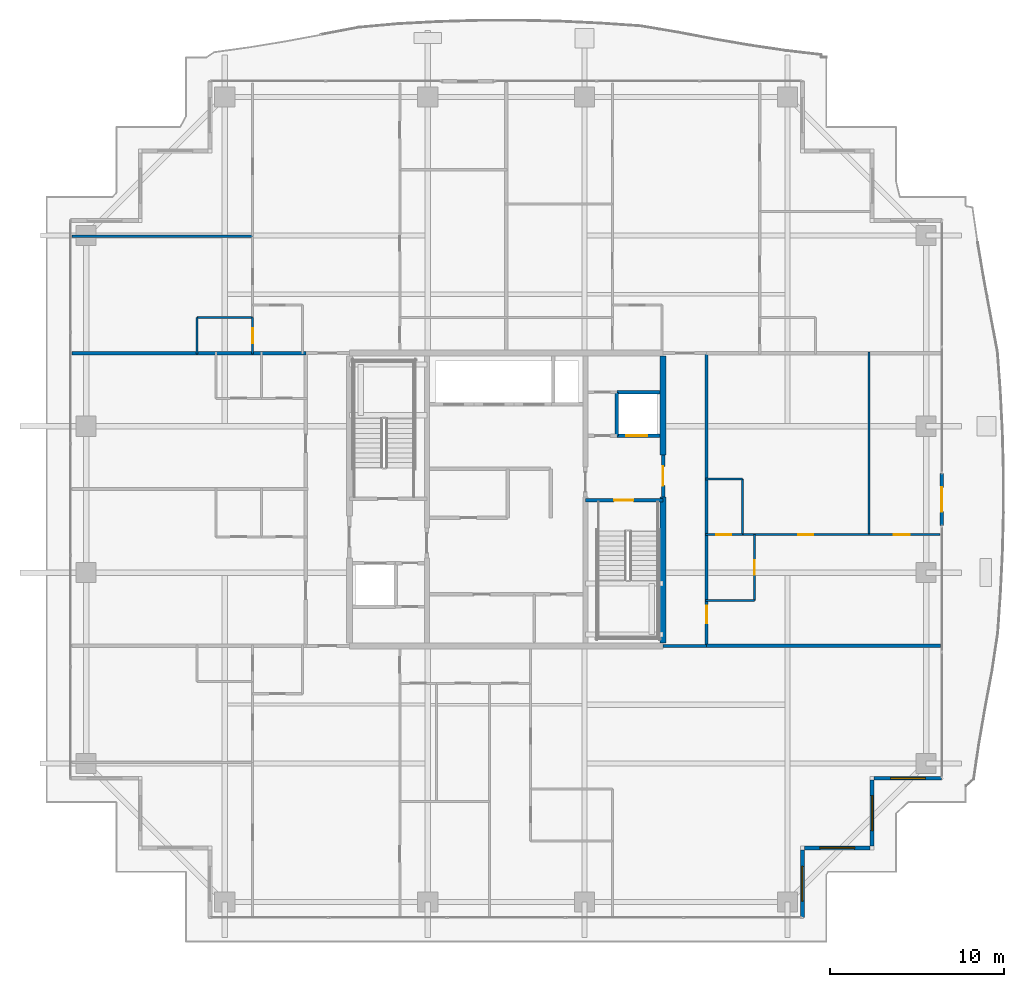
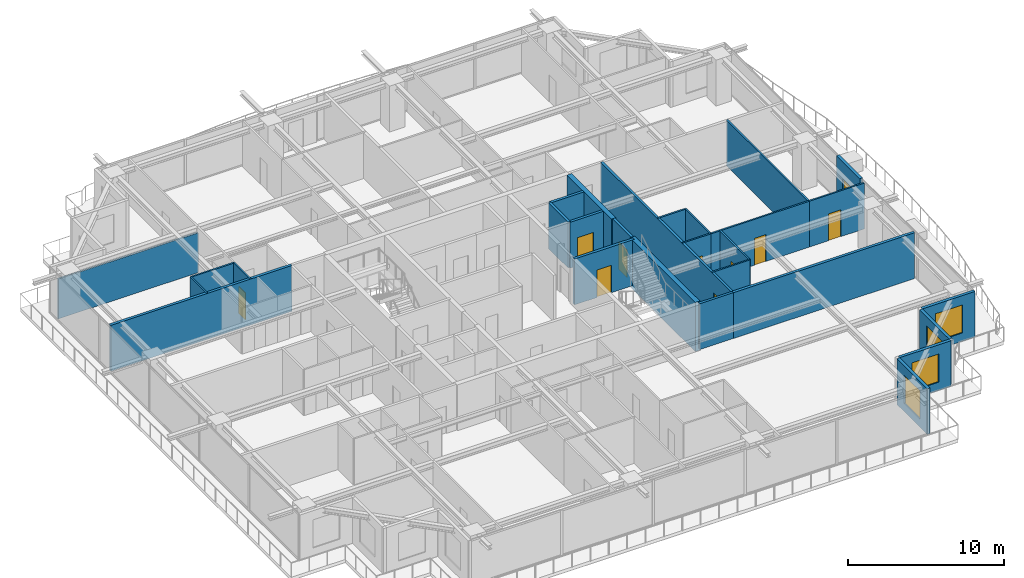
# One storey, part 28 of 37: 28 walls, 10 doors, 4 windows, 14 openings.
"""IFC4 building model written with IfcOpenShell, lengths in metres."""

import ifcopenshell
import ifcopenshell.guid

model = None  # the IFC model being written
_history = None  # IfcOwnerHistory: only IFC2X3 demands one
_inside = {}  # id of a spatial element -> (the spatial element, [elements in it])
_under = {}  # id of a project, library or spatial element -> (it, [spatial elements below it])
_declared = {}  # id of a project -> (the project, [libraries it declares])
_typed = {}  # id of a type object -> (the type object, [elements of that type])
_made_of = {}  # id of a material, layer set ... -> (it, [elements and type objects made of it])


def new_model(schema):
    """Start an empty IFC model of exactly this schema.

    Asked for "IFC4X3", IfcOpenShell would pick the latest addendum, in which some entities
    have other attributes; the version numbers below select the first issue.
    IFC2X3 requires an IfcOwnerHistory on every rooted entity: one is made here for all.
    """
    global model, _history
    if schema == "IFC4X3":
        model = ifcopenshell.file(schema_version=(4, 3, 0, 0))
    else:
        model = ifcopenshell.file(schema=schema)
    _inside.clear()
    _under.clear()
    _declared.clear()
    _typed.clear()
    _made_of.clear()
    _history = None
    if model.schema == "IFC2X3":
        org = make("IfcOrganization", Name="unknown")
        user = make(
            "IfcPersonAndOrganization",
            ThePerson=make("IfcPerson", FamilyName="unknown"),
            TheOrganization=org,
        )
        app = make(
            "IfcApplication",
            ApplicationDeveloper=org,
            Version="unknown",
            ApplicationFullName="unknown",
            ApplicationIdentifier="unknown",
        )
        _history = make(
            "IfcOwnerHistory",
            OwningUser=user,
            OwningApplication=app,
            ChangeAction="ADDED",
            CreationDate=0,
        )
    return model


def make(cls, **values):
    """One entity of the class cls with the attributes given. An attribute that is None is left unset."""
    return model.create_entity(
        cls, **{name: value for name, value in values.items() if value is not None}
    )


def rooted(cls, **values):
    """An entity with a GlobalId (a new one), such as an element, a storey or a relation."""
    return make(cls, GlobalId=ifcopenshell.guid.new(), OwnerHistory=_history, **values)


def si_unit(unit_type, name, prefix=None):
    """IfcSIUnit, for example si_unit("LENGTHUNIT", "METRE", prefix="MILLI")."""
    return make("IfcSIUnit", UnitType=unit_type, Prefix=prefix, Name=name)


def assignment(units):
    """IfcUnitAssignment: the units of a project."""
    return None if units is None else make("IfcUnitAssignment", Units=units)


def point(xyz):
    """IfcCartesianPoint."""
    return None if xyz is None else make("IfcCartesianPoint", Coordinates=xyz)


def direction(xyz):
    """IfcDirection."""
    return None if xyz is None else make("IfcDirection", DirectionRatios=xyz)


def frame(location, z_axis=None, x_axis=None):
    """IfcAxis2Placement3D, a coordinate frame: its origin and axes. An axis left out is left unset."""
    return make(
        "IfcAxis2Placement3D",
        Location=point(location),
        Axis=direction(z_axis),
        RefDirection=direction(x_axis),
    )


def frame_2d(location, x_axis=None):
    """IfcAxis2Placement2D, a coordinate frame in the plane: its origin and x axis."""
    return make(
        "IfcAxis2Placement2D", Location=point(location), RefDirection=direction(x_axis)
    )


def origin():
    """The frame at (0, 0, 0) with its axes left unset."""
    return frame((0.0, 0.0, 0.0))


def place(relative_to, where):
    """IfcLocalPlacement: puts the frame where relative to a parent placement (None: the world)."""
    return make(
        "IfcLocalPlacement", PlacementRelTo=relative_to, RelativePlacement=where
    )


def context(
    kind, dimensions, precision=None, world=None, true_north=None, identifier=None
):
    """IfcGeometricRepresentationContext, for example the 3D "Model" context."""
    return make(
        "IfcGeometricRepresentationContext",
        ContextIdentifier=identifier,
        ContextType=kind,
        CoordinateSpaceDimension=dimensions,
        Precision=precision,
        WorldCoordinateSystem=world,
        TrueNorth=true_north,
    )


def subcontext(parent, identifier, kind, view, scale=None):
    """IfcGeometricRepresentationSubContext, for example "Body" below "Model"."""
    return make(
        "IfcGeometricRepresentationSubContext",
        ContextIdentifier=identifier,
        ContextType=kind,
        ParentContext=parent,
        TargetScale=scale,
        TargetView=view,
    )


def project(units=None, contexts=None):
    """IfcProject with its units and contexts."""
    return rooted(
        "IfcProject",
        Name="project",
        RepresentationContexts=contexts,
        UnitsInContext=assignment(units),
    )


def spatial(cls, under=None, at=None, **own):
    """A site, building, storey or space (cls), placed at a placement, below another one or the project."""
    s = rooted(cls, ObjectPlacement=at, **own)
    if under is not None:
        _under.setdefault(under.id(), (under, []))[1].append(s)
    return s


def profile(cls, at=None, kind="AREA", **sizes):
    """A parametric profile (cls). Its sizes go by their IFC names, for example OverallWidth=200.0."""
    return make(cls, ProfileType=kind, Position=at, **sizes)


def rectangle(**sizes):
    """IfcRectangleProfileDef."""
    return profile("IfcRectangleProfileDef", **sizes)


def extrude(swept, where, along, depth):
    """IfcExtrudedAreaSolid: the profile swept, set in the frame where, extruded along a direction by depth."""
    return make(
        "IfcExtrudedAreaSolid",
        SweptArea=swept,
        Position=where,
        ExtrudedDirection=direction(along),
        Depth=depth,
    )


def shape(context_of_items, identifier, shape_type, items):
    """IfcShapeRepresentation: the items that make up one representation, for example the "Body"."""
    return make(
        "IfcShapeRepresentation",
        ContextOfItems=context_of_items,
        RepresentationIdentifier=identifier,
        RepresentationType=shape_type,
        Items=items,
    )


def source(mapping_origin, context_of_items, identifier, shape_type, items):
    """IfcRepresentationMap: a shape defined once, which mapped items show again and again."""
    return make(
        "IfcRepresentationMap",
        MappingOrigin=mapping_origin,
        MappedRepresentation=shape(context_of_items, identifier, shape_type, items),
    )


def transform(
    local_origin,
    x_axis=None,
    y_axis=None,
    z_axis=None,
    scale=None,
    scale2=None,
    scale3=None,
    uniform=True,
):
    """IfcCartesianTransformationOperator3D, or its non-uniform kind. x_axis, y_axis, z_axis: its Axis1, 2, 3."""
    if uniform:
        return make(
            "IfcCartesianTransformationOperator3D",
            Axis1=direction(x_axis),
            Axis2=direction(y_axis),
            LocalOrigin=point(local_origin),
            Scale=scale,
            Axis3=direction(z_axis),
        )
    return make(
        "IfcCartesianTransformationOperator3DnonUniform",
        Axis1=direction(x_axis),
        Axis2=direction(y_axis),
        LocalOrigin=point(local_origin),
        Scale=scale,
        Axis3=direction(z_axis),
        Scale2=scale2,
        Scale3=scale3,
    )


def mapped(mapping_source, mapping_target):
    """IfcMappedItem: shows the shape of a source again, moved by a transform."""
    return make(
        "IfcMappedItem", MappingSource=mapping_source, MappingTarget=mapping_target
    )


def material(Name=None, Category=None):
    """IfcMaterial."""
    return make("IfcMaterial", Name=Name, Category=Category)


def layer(
    of_material, thickness, ventilated=None, Name=None, Category=None, Priority=None
):
    """IfcMaterialLayer: one layer of a wall or slab, of a material (None: an air gap)."""
    return make(
        "IfcMaterialLayer",
        Material=of_material,
        LayerThickness=thickness,
        IsVentilated=ventilated,
        Name=Name,
        Category=Category,
        Priority=Priority,
    )


def layer_set(layers, Name=None):
    """IfcMaterialLayerSet."""
    return make("IfcMaterialLayerSet", MaterialLayers=layers, LayerSetName=Name)


def made_of(thing, what):
    """Note that an element or type object is made of a material, layer set ...; save() writes the relation."""
    if what is not None:
        _made_of.setdefault(what.id(), (what, []))[1].append(thing)
    return thing


def type_object(cls, material=None, **own):
    """A type object (cls), such as IfcWallType, which elements share."""
    return made_of(rooted(cls, **own), material)


def element(
    cls,
    number,
    at=None,
    inside=None,
    cuts=None,
    type_object=None,
    material=None,
    context=None,
    identifier="Body",
    shape_type=None,
    held_by="IfcProductDefinitionShape",
    body=None,
    shapes=None,
    **own,
):
    """One element of the class cls, such as IfcWall. Its Tag is "e" and its number.

    at: its placement. inside: the storey or other place that contains it. cuts: it is an
    opening in that element (IfcRelVoidsElement). A single representation is given by context,
    identifier, shape_type and body (its items); several are given by shapes. held_by: the class
    of the entity that holds the representations. save() writes the other relations.
    """
    e = rooted(cls, Tag="e%d" % number, ObjectPlacement=at, **own)
    if body is not None:
        shapes = [shape(context, identifier, shape_type, body)]
    if shapes is not None:
        e.Representation = make(held_by, Representations=shapes)
    if inside is not None:
        _inside.setdefault(inside.id(), (inside, []))[1].append(e)
    if cuts is not None:
        rooted(
            "IfcRelVoidsElement", RelatingBuildingElement=cuts, RelatedOpeningElement=e
        )
    if type_object is not None:
        _typed.setdefault(type_object.id(), (type_object, []))[1].append(e)
    return made_of(e, material)


def fill(opening, filler):
    """IfcRelFillsElement: the door or window that sits in an opening."""
    return rooted(
        "IfcRelFillsElement",
        RelatingOpeningElement=opening,
        RelatedBuildingElement=filler,
    )


def aggregate(whole, parts):
    """IfcRelAggregates: a whole, such as a stair, and the parts it consists of."""
    return rooted("IfcRelAggregates", RelatingObject=whole, RelatedObjects=parts)


def save(model, path):
    """Write the relations noted so far, then the file.

    IfcRelAggregates (storeys below a building ...), IfcRelContainedInSpatialStructure (elements
    in a storey), IfcRelDefinesByType, IfcRelAssociatesMaterial and IfcRelDeclares: one each for
    every whole, place, type object, material and project.
    """
    for whole, parts in _under.values():
        aggregate(whole, parts)
    for where, things in _inside.values():
        rooted(
            "IfcRelContainedInSpatialStructure",
            RelatedElements=things,
            RelatingStructure=where,
        )
    for kind, things in _typed.values():
        rooted("IfcRelDefinesByType", RelatedObjects=things, RelatingType=kind)
    for what, things in _made_of.values():
        rooted("IfcRelAssociatesMaterial", RelatedObjects=things, RelatingMaterial=what)
    for by, libraries in _declared.values():
        rooted("IfcRelDeclares", RelatingContext=by, RelatedDefinitions=libraries)
    model.write(path)


model = new_model("IFC4")

# Units and contexts
model_context = context("Model", 3, precision=1e-05, world=origin(), true_north=direction((0.0, 1.0)))
body_context = subcontext(model_context, "Body", "Model", "MODEL_VIEW")
ifc_project = project(units=[si_unit("LENGTHUNIT", "METRE"), si_unit("AREAUNIT", "SQUARE_METRE"), si_unit("VOLUMEUNIT", "CUBIC_METRE"), si_unit("PLANEANGLEUNIT", "RADIAN"), si_unit("MASSUNIT", "GRAM", prefix="KILO")], contexts=[model_context])

# Site, building, storey
site_placement = place(None, origin())
site = spatial("IfcSite", under=ifc_project, at=site_placement, CompositionType="ELEMENT")
building_placement = place(site_placement, origin())
building = spatial("IfcBuilding", under=site, at=building_placement, Name="Serunith Strait Residences", CompositionType="ELEMENT")
storey_placement = place(building_placement, frame((0.0, 0.0, 233.550048828125)))
storey = spatial("IfcBuildingStorey", under=building, at=storey_placement, Name="L58", CompositionType="ELEMENT", Elevation=233.550048828125)

# Wall, opening, window
ifc_material_1 = material(Name="Pale-Champagne Aluminium Insulated Panel", Category="aluminium")
ifc_layer_1 = layer(ifc_material_1, 0.219970703125, Name="Pale-Champagne Aluminium Insulated Panel")
ifc_layer_set_1 = layer_set([ifc_layer_1], Name="Pale-Champagne Aluminium Insulated Panel")
wall_type_1 = type_object("IfcWallType", Name="EW-ALUM-220", PredefinedType="ELEMENTEDWALL", material=ifc_layer_set_1)
wall_1_placement = place(storey_placement, frame((49.39990234375, 1.199951171875, 0.0), z_axis=(0.0, 0.0, 1.0), x_axis=(0.0, 1.0, 0.0)))
wall_1 = element("IfcWall", 1, at=wall_1_placement, inside=storey, type_object=wall_type_1, Name="L58 Girih Serrated Corner Wall 02", PredefinedType="ELEMENTEDWALL", context=body_context, shape_type="SweptSolid", body=[
    extrude(rectangle(XDim=3.89013671875, YDim=0.219970703125, at=frame_2d((1.945068359375, 0.0))), origin(), (0.0, 0.0, 1.0), 3.574951171875),
])
opening_1_placement = place(wall_1_placement, frame((0.945068359375, 0.0, 0.64990234375)))
opening_1 = element("IfcOpeningElement", 2, at=opening_1_placement, cuts=wall_1, Name="Opening W-04", PredefinedType="OPENING", context=body_context, shape_type="SweptSolid", body=[
    extrude(rectangle(XDim=2.0, YDim=2.199951171875, at=frame_2d((1.0, 1.10009765625))), frame((0.0, 0.1201171875, 0.0), z_axis=(0.0, -1.0, 0.0), x_axis=(1.0, 0.0, 0.0)), (0.0, 0.0, 1.0), 0.239990234375),
])
ifc_material_2 = material(Name="Ceramic-Fritted Operable Aluminium Window Glass", Category="aluminium")
window_type = type_object("IfcWindowType", Name="WIN-C4", PartitioningType="TRIPLE_PANEL_VERTICAL", PredefinedType="WINDOW", material=ifc_material_2)
shared_shape_1 = source(origin(), body_context, "Body", "SweptSolid", [
    extrude(rectangle(XDim=2.0, YDim=2.199951171875, at=frame_2d((1.0, 1.10009765625))), frame((0.0, 0.030029296875, 0.0), z_axis=(0.0, -1.0, 0.0), x_axis=(1.0, 0.0, 0.0)), (0.0, 0.0, 1.0), 0.06005859375),
])
window_1_placement = place(opening_1_placement, origin())
window_1 = element("IfcWindow", 3, at=window_1_placement, inside=storey, type_object=window_type, Name="L58 Corner Operable Fritted Window 02", OverallHeight=2.199951171875, OverallWidth=2.0, PartitioningType="SINGLE_PANEL", PredefinedType="WINDOW", context=body_context, shape_type="MappedRepresentation", body=[
    mapped(shared_shape_1, transform((0.0, 0.0, 0.0), scale=1.0)),
])
fill(opening_1, window_1)

wall_2_placement = place(storey_placement, frame((49.510009765625, 5.199951171875, 0.0), z_axis=(0.0, 0.0, 1.0), x_axis=(1.0, 0.0, 0.0)))
wall_2 = element("IfcWall", 4, at=wall_2_placement, inside=storey, type_object=wall_type_1, Name="L58 Girih Serrated Corner Wall 03", PredefinedType="ELEMENTEDWALL", context=body_context, shape_type="SweptSolid", body=[
    extrude(rectangle(XDim=3.780029296875, YDim=0.219970703125, at=frame_2d((1.89013671875, 0.0))), origin(), (0.0, 0.0, 1.0), 3.574951171875),
])
opening_2_placement = place(wall_2_placement, frame((0.889892578125, 0.0, 0.64990234375)))
opening_2 = element("IfcOpeningElement", 5, at=opening_2_placement, cuts=wall_2, Name="Opening W-04", PredefinedType="OPENING", context=body_context, shape_type="SweptSolid", body=[
    extrude(rectangle(XDim=2.0, YDim=2.199951171875, at=frame_2d((1.0, 1.10009765625))), frame((0.0, 0.1201171875, 0.0), z_axis=(0.0, -1.0, 0.0), x_axis=(1.0, 0.0, 0.0)), (0.0, 0.0, 1.0), 0.239990234375),
])
window_2_placement = place(opening_2_placement, origin())
window_2 = element("IfcWindow", 6, at=window_2_placement, inside=storey, type_object=window_type, Name="L58 Corner Operable Fritted Window 03", OverallHeight=2.199951171875, OverallWidth=2.0, PartitioningType="SINGLE_PANEL", PredefinedType="WINDOW", context=body_context, shape_type="MappedRepresentation", body=[
    mapped(shared_shape_1, transform((0.0, 0.0, 0.0), scale=1.0)),
])
fill(opening_2, window_2)

wall_3_placement = place(storey_placement, frame((53.39990234375, 5.31005859375, 0.0), z_axis=(0.0, 0.0, 1.0), x_axis=(0.0, 1.0, 0.0)))
wall_3 = element("IfcWall", 7, at=wall_3_placement, inside=storey, type_object=wall_type_1, Name="L58 Girih Serrated Corner Wall 04", PredefinedType="ELEMENTEDWALL", context=body_context, shape_type="SweptSolid", body=[
    extrude(rectangle(XDim=3.780029296875, YDim=0.219970703125, at=frame_2d((1.89013671875, 0.0))), origin(), (0.0, 0.0, 1.0), 3.574951171875),
])
opening_3_placement = place(wall_3_placement, frame((0.889892578125, 0.0, 0.64990234375)))
opening_3 = element("IfcOpeningElement", 8, at=opening_3_placement, cuts=wall_3, Name="Opening W-04", PredefinedType="OPENING", context=body_context, shape_type="SweptSolid", body=[
    extrude(rectangle(XDim=2.0, YDim=2.199951171875, at=frame_2d((1.0, 1.10009765625))), frame((0.0, 0.1201171875, 0.0), z_axis=(0.0, -1.0, 0.0), x_axis=(1.0, 0.0, 0.0)), (0.0, 0.0, 1.0), 0.239990234375),
])
window_3_placement = place(opening_3_placement, origin())
window_3 = element("IfcWindow", 9, at=window_3_placement, inside=storey, type_object=window_type, Name="L58 Corner Operable Fritted Window 04", OverallHeight=2.199951171875, OverallWidth=2.0, PartitioningType="SINGLE_PANEL", PredefinedType="WINDOW", context=body_context, shape_type="MappedRepresentation", body=[
    mapped(shared_shape_1, transform((0.0, 0.0, 0.0), scale=1.0)),
])
fill(opening_3, window_3)

wall_4_placement = place(storey_placement, frame((53.510009765625, 9.199951171875, 0.0), z_axis=(0.0, 0.0, 1.0), x_axis=(1.0, 0.0, 0.0)))
wall_4 = element("IfcWall", 10, at=wall_4_placement, inside=storey, type_object=wall_type_1, Name="L58 Girih Serrated Corner Wall 05", PredefinedType="ELEMENTEDWALL", context=body_context, shape_type="SweptSolid", body=[
    extrude(rectangle(XDim=3.889892578125, YDim=0.219970703125, at=frame_2d((1.94482421875, 0.0))), origin(), (0.0, 0.0, 1.0), 3.574951171875),
])
opening_4_placement = place(wall_4_placement, frame((0.945068359375, 0.0, 0.64990234375)))
opening_4 = element("IfcOpeningElement", 11, at=opening_4_placement, cuts=wall_4, Name="Opening W-04", PredefinedType="OPENING", context=body_context, shape_type="SweptSolid", body=[
    extrude(rectangle(XDim=2.0, YDim=2.199951171875, at=frame_2d((1.0, 1.10009765625))), frame((0.0, 0.1201171875, 0.0), z_axis=(0.0, -1.0, 0.0), x_axis=(1.0, 0.0, 0.0)), (0.0, 0.0, 1.0), 0.239990234375),
])
window_4_placement = place(opening_4_placement, origin())
window_4 = element("IfcWindow", 12, at=window_4_placement, inside=storey, type_object=window_type, Name="L58 Corner Operable Fritted Window 05", OverallHeight=2.199951171875, OverallWidth=2.0, PartitioningType="SINGLE_PANEL", PredefinedType="WINDOW", context=body_context, shape_type="MappedRepresentation", body=[
    mapped(shared_shape_1, transform((0.0, 0.0, 0.0), scale=1.0)),
])
fill(opening_4, window_4)

# Wall, opening, door
wall_5_placement = place(storey_placement, frame((57.39990234375, 23.699951171875, 0.0), z_axis=(0.0, 0.0, 1.0), x_axis=(0.0, 1.0, 0.0)))
wall_5 = element("IfcWall", 13, at=wall_5_placement, inside=storey, type_object=wall_type_1, Name="L58 E Facade Pier Wall", PredefinedType="ELEMENTEDWALL", context=body_context, shape_type="SweptSolid", body=[
    extrude(rectangle(XDim=3.0, YDim=0.219970703125, at=frame_2d((1.5, 0.0))), origin(), (0.0, 0.0, 1.0), 3.574951171875),
])
opening_5_placement = place(wall_5_placement, frame((0.800048828125, 0.0, 0.0)))
opening_5 = element("IfcOpeningElement", 14, at=opening_5_placement, cuts=wall_5, Name="Opening ED-04", PredefinedType="OPENING", context=body_context, shape_type="SweptSolid", body=[
    extrude(rectangle(XDim=1.39990234375, YDim=2.25, at=frame_2d((0.699951171875, 1.125))), frame((0.0, 0.1201171875, 0.0), z_axis=(0.0, -1.0, 0.0), x_axis=(1.0, 0.0, 0.0)), (0.0, 0.0, 1.0), 0.239990234375),
])
ifc_material_3 = material(Name="Thermally-Broken Aluminium Sliding Balcony Door", Category="aluminium")
door_type_1 = type_object("IfcDoorType", Name="ED-BALC-1400", OperationType="NOTDEFINED", PredefinedType="DOOR", material=ifc_material_3)
shared_shape_2 = source(origin(), body_context, "Body", "SweptSolid", [
    extrude(rectangle(XDim=1.39990234375, YDim=2.25, at=frame_2d((0.699951171875, 1.125))), frame((0.0, 0.02490234375, 0.0), z_axis=(0.0, -1.0, 0.0), x_axis=(1.0, 0.0, 0.0)), (0.0, 0.0, 1.0), 0.050048828125),
])
door_1_placement = place(opening_5_placement, origin())
door_1 = element("IfcDoor", 15, at=door_1_placement, inside=storey, type_object=door_type_1, Name="L58 E Vertical-Forest Balcony Door", OperationType="SLIDING_TO_LEFT", OverallHeight=2.25, OverallWidth=1.39990234375, PredefinedType="DOOR", context=body_context, shape_type="MappedRepresentation", body=[
    mapped(shared_shape_2, transform((0.0, 0.0, 0.0), scale=1.0)),
])
fill(opening_5, door_1)

# Wall
ifc_material_4 = material(Name="Fire-rated acoustic gypsum partition")
ifc_layer_2 = layer(ifc_material_4, 0.179931640625, Name="Fire-rated acoustic gypsum partition")
ifc_layer_set_2 = layer_set([ifc_layer_2], Name="Fire-rated acoustic gypsum partition")
wall_type_2 = type_object("IfcWallType", Name="IW-CORR-180", PredefinedType="PARTITIONING", material=ifc_layer_set_2)
wall_6_placement = place(storey_placement, frame((41.402099609375, 16.800048828125, 0.0), z_axis=(0.0, 0.0, 1.0), x_axis=(1.0, 0.0, 0.0)))
element("IfcWall", 16, at=wall_6_placement, inside=storey, type_object=wall_type_2, Name="L58 Partition Wall 029", PredefinedType="PARTITIONING", context=body_context, shape_type="SweptSolid", body=[
    extrude(rectangle(XDim=2.495849609375, YDim=0.179931640625, at=frame_2d((1.248046875, 0.0))), origin(), (0.0, 0.0, 1.0), 3.58984375),
])

# Wall, opening, door
wall_7_placement = place(storey_placement, frame((43.89990234375, 16.800048828125, 0.0), z_axis=(0.0, 0.0, 1.0), x_axis=(0.0, 1.0, 0.0)))
wall_7 = element("IfcWall", 17, at=wall_7_placement, inside=storey, type_object=wall_type_2, Name="L58 Partition Wall 031", PredefinedType="PARTITIONING", context=body_context, shape_type="SweptSolid", body=[
    extrude(rectangle(XDim=16.800048828125, YDim=0.179931640625, at=frame_2d((8.39990234375, 0.0))), origin(), (0.0, 0.0, 1.0), 3.58984375),
])
opening_6_placement = place(wall_7_placement, frame((1.300048828125, 0.0, 0.0)))
opening_6 = element("IfcOpeningElement", 18, at=opening_6_placement, cuts=wall_7, Name="Opening D-APT1000", PredefinedType="OPENING", context=body_context, shape_type="SweptSolid", body=[
    extrude(rectangle(XDim=1.0, YDim=2.14990234375, at=frame_2d((0.5, 1.074951171875))), frame((0.0, 0.10009765625, 0.0), z_axis=(0.0, -1.0, 0.0), x_axis=(1.0, 0.0, 0.0)), (0.0, 0.0, 1.0), 0.199951171875),
])
ifc_material_5 = material(Name="Solid timber engineered fire door", Category="wood")
door_type_2 = type_object("IfcDoorType", Name="ID-APT-1000", OperationType="NOTDEFINED", PredefinedType="DOOR", material=ifc_material_5)
shared_shape_3 = source(origin(), body_context, "Body", "SweptSolid", [
    extrude(rectangle(XDim=1.0, YDim=2.14990234375, at=frame_2d((0.5, 1.074951171875))), frame((0.0, 0.02490234375, 0.0), z_axis=(0.0, -1.0, 0.0), x_axis=(1.0, 0.0, 0.0)), (0.0, 0.0, 1.0), 0.050048828125),
])
door_2_placement = place(opening_6_placement, origin())
door_2 = element("IfcDoor", 19, at=door_2_placement, inside=storey, type_object=door_type_2, Name="L58 Unit 06 Entrance Door", OperationType="SINGLE_SWING_LEFT", OverallHeight=2.14990234375, OverallWidth=1.0, PredefinedType="DOOR", context=body_context, shape_type="MappedRepresentation", body=[
    mapped(shared_shape_3, transform((0.0, 0.0, 0.0), scale=1.0)),
])
fill(opening_6, door_2)

# Walls
ifc_material_6 = material(Name="Lightweight steel-stud gypsum partition", Category="steel")
ifc_layer_3 = layer(ifc_material_6, 0.1201171875, Name="Lightweight steel-stud gypsum partition")
ifc_layer_set_3 = layer_set([ifc_layer_3], Name="Lightweight steel-stud gypsum partition")
wall_type_3 = type_object("IfcWallType", Name="IW-PART-120", PredefinedType="PARTITIONING", material=ifc_layer_set_3)
wall_8_placement = place(storey_placement, frame((7.4951171875, 40.305908203125, 0.0), z_axis=(0.0, 0.0, 1.0), x_axis=(1.0, 0.0, 0.0)))
element("IfcWall", 20, at=wall_8_placement, inside=storey, type_object=wall_type_3, Name="L58 Partition Wall 058", PredefinedType="PARTITIONING", context=body_context, shape_type="SweptSolid", body=[
    extrude(rectangle(XDim=10.35498046875, YDim=0.1201171875, at=frame_2d((5.177490234375, 0.0))), origin(), (0.0, 0.0, 1.0), 3.1220703125),
])
wall_9_placement = place(storey_placement, frame((14.64990234375, 35.64990234375, 0.0), z_axis=(0.0, 0.0, 1.0), x_axis=(1.0, 0.0, 0.0)))
element("IfcWall", 21, at=wall_9_placement, inside=storey, type_object=wall_type_3, Name="L58 Partition Wall 059", PredefinedType="PARTITIONING", context=body_context, shape_type="SweptSolid", body=[
    extrude(rectangle(XDim=3.2001953125, YDim=0.1201171875, at=frame_2d((1.60009765625, 0.0))), origin(), (0.0, 0.0, 1.0), 3.58984375),
])
wall_10_placement = place(storey_placement, frame((14.64990234375, 35.64990234375, 0.0), z_axis=(0.0, 0.0, 1.0), x_axis=(0.0, -1.0, 0.0)))
element("IfcWall", 22, at=wall_10_placement, inside=storey, type_object=wall_type_3, Name="L58 Partition Wall 060", PredefinedType="PARTITIONING", context=body_context, shape_type="SweptSolid", body=[
    extrude(rectangle(XDim=2.10986328125, YDim=0.1201171875, at=frame_2d((1.054931640625, 0.0))), origin(), (0.0, 0.0, 1.0), 3.58984375),
])

# Wall, opening, door
wall_11_placement = place(storey_placement, frame((17.85009765625, 35.64794921875, 0.0), z_axis=(0.0, 0.0, 1.0), x_axis=(0.0, -1.0, 0.0)))
wall_11 = element("IfcWall", 23, at=wall_11_placement, inside=storey, type_object=wall_type_3, Name="L58 Partition Wall 062", PredefinedType="PARTITIONING", context=body_context, shape_type="SweptSolid", body=[
    extrude(rectangle(XDim=2.10791015625, YDim=0.1201171875, at=frame_2d((1.053955078125, 0.0))), origin(), (0.0, 0.0, 1.0), 3.58984375),
])
opening_7_placement = place(wall_11_placement, frame((0.62890625, 0.0, 0.0)))
opening_7 = element("IfcOpeningElement", 24, at=opening_7_placement, cuts=wall_11, Name="Opening D-BTH850", PredefinedType="OPENING", context=body_context, shape_type="SweptSolid", body=[
    extrude(rectangle(XDim=0.85009765625, YDim=2.10009765625, at=frame_2d((0.425048828125, 1.050048828125))), frame((0.0, 0.070068359375, 0.0), z_axis=(0.0, -1.0, 0.0), x_axis=(1.0, 0.0, 0.0)), (0.0, 0.0, 1.0), 0.14013671875),
])
ifc_material_7 = material(Name="Moisture-resistant timber bathroom door", Category="wood")
door_type_3 = type_object("IfcDoorType", Name="ID-BATH-850", OperationType="NOTDEFINED", PredefinedType="DOOR", material=ifc_material_7)
shared_shape_4 = source(origin(), body_context, "Body", "SweptSolid", [
    extrude(rectangle(XDim=0.85009765625, YDim=2.10009765625, at=frame_2d((0.425048828125, 1.050048828125))), frame((0.0, 0.02490234375, 0.0), z_axis=(0.0, -1.0, 0.0), x_axis=(1.0, 0.0, 0.0)), (0.0, 0.0, 1.0), 0.050048828125),
])
door_3_placement = place(opening_7_placement, origin())
door_3 = element("IfcDoor", 25, at=door_3_placement, inside=storey, type_object=door_type_3, Name="L58 Bathroom 5802 Door", OperationType="SINGLE_SWING_RIGHT", OverallHeight=2.10009765625, OverallWidth=0.85009765625, PredefinedType="DOOR", context=body_context, shape_type="MappedRepresentation", body=[
    mapped(shared_shape_4, transform((0.0, 0.0, 0.0), scale=1.0)),
])
fill(opening_7, door_3)

wall_12_placement = place(storey_placement, frame((46.64990234375, 19.39990234375, 0.0), z_axis=(0.0, 0.0, 1.0), x_axis=(0.0, 1.0, 0.0)))
wall_12 = element("IfcWall", 26, at=wall_12_placement, inside=storey, type_object=wall_type_3, Name="L58 Partition Wall 089", PredefinedType="PARTITIONING", context=body_context, shape_type="SweptSolid", body=[
    extrude(rectangle(XDim=3.780029296875, YDim=0.1201171875, at=frame_2d((1.89013671875, 0.0))), origin(), (0.0, 0.0, 1.0), 3.58984375),
])
opening_8_placement = place(wall_12_placement, frame((1.465087890625, 0.0, 0.0)))
opening_8 = element("IfcOpeningElement", 27, at=opening_8_placement, cuts=wall_12, Name="Opening D-RM850", PredefinedType="OPENING", context=body_context, shape_type="SweptSolid", body=[
    extrude(rectangle(XDim=0.85009765625, YDim=2.10009765625, at=frame_2d((0.425048828125, 1.050048828125))), frame((0.0, 0.070068359375, 0.0), z_axis=(0.0, -1.0, 0.0), x_axis=(1.0, 0.0, 0.0)), (0.0, 0.0, 1.0), 0.14013671875),
])
ifc_material_8 = material(Name="Engineered timber flush study and kitchen door", Category="wood")
door_type_4 = type_object("IfcDoorType", Name="ID-ROOM-850", OperationType="NOTDEFINED", PredefinedType="DOOR", material=ifc_material_8)
door_4_placement = place(opening_8_placement, origin())
door_4 = element("IfcDoor", 28, at=door_4_placement, inside=storey, type_object=door_type_4, Name="L58 Kitchen 5806 Door", OperationType="SINGLE_SWING_LEFT", OverallHeight=2.10009765625, OverallWidth=0.85009765625, PredefinedType="DOOR", context=body_context, shape_type="MappedRepresentation", body=[
    mapped(shared_shape_4, transform((0.0, 0.0, 0.0), scale=1.0)),
])
fill(opening_8, door_4)

# Wall
wall_13_placement = place(storey_placement, frame((46.64990234375, 19.39990234375, 0.0), z_axis=(0.0, 0.0, 1.0), x_axis=(-1.0, 0.0, 0.0)))
element("IfcWall", 29, at=wall_13_placement, inside=storey, type_object=wall_type_3, Name="L58 Partition Wall 090", PredefinedType="PARTITIONING", context=body_context, shape_type="SweptSolid", body=[
    extrude(rectangle(XDim=2.809814453125, YDim=0.1201171875, at=frame_2d((1.40478515625, 0.0))), origin(), (0.0, 0.0, 1.0), 3.58984375),
])

# Wall, opening, door
wall_14_placement = place(storey_placement, frame((57.304931640625, 23.179931640625, 0.0), z_axis=(0.0, 0.0, 1.0), x_axis=(-1.0, 0.0, 0.0)))
wall_14 = element("IfcWall", 30, at=wall_14_placement, inside=storey, type_object=wall_type_3, Name="L58 Partition Wall 091", PredefinedType="PARTITIONING", context=body_context, shape_type="SweptSolid", body=[
    extrude(rectangle(XDim=4.0888671875, YDim=0.1201171875, at=frame_2d((2.04443359375, 0.0))), origin(), (0.0, 0.0, 1.0), 3.58984375),
])
opening_9_placement = place(wall_14_placement, frame((1.75390625, 0.0, 0.0)))
opening_9 = element("IfcOpeningElement", 31, at=opening_9_placement, cuts=wall_14, Name="Opening D-RM900", PredefinedType="OPENING", context=body_context, shape_type="SweptSolid", body=[
    extrude(rectangle(XDim=0.89990234375, YDim=2.10009765625, at=frame_2d((0.449951171875, 1.050048828125))), frame((0.0, 0.070068359375, 0.0), z_axis=(0.0, -1.0, 0.0), x_axis=(1.0, 0.0, 0.0)), (0.0, 0.0, 1.0), 0.14013671875),
])
ifc_material_9 = material(Name="Engineered timber flush bedroom door", Category="wood")
door_type_5 = type_object("IfcDoorType", Name="ID-ROOM-900", OperationType="NOTDEFINED", PredefinedType="DOOR", material=ifc_material_9)
shared_shape_5 = source(origin(), body_context, "Body", "SweptSolid", [
    extrude(rectangle(XDim=0.89990234375, YDim=2.10009765625, at=frame_2d((0.449951171875, 1.050048828125))), frame((0.0, 0.02490234375, 0.0), z_axis=(0.0, -1.0, 0.0), x_axis=(1.0, 0.0, 0.0)), (0.0, 0.0, 1.0), 0.050048828125),
])
door_5_placement = place(opening_9_placement, origin())
door_5 = element("IfcDoor", 32, at=door_5_placement, inside=storey, type_object=door_type_5, Name="L58 Master Bedroom 1 5806 Door", OperationType="SINGLE_SWING_RIGHT", OverallHeight=2.10009765625, OverallWidth=0.89990234375, PredefinedType="DOOR", context=body_context, shape_type="MappedRepresentation", body=[
    mapped(shared_shape_5, transform((0.0, 0.0, 0.0), scale=1.0)),
])
fill(opening_9, door_5)

# Walls
wall_15_placement = place(storey_placement, frame((53.216064453125, 23.179931640625, 0.0), z_axis=(0.0, 0.0, 1.0), x_axis=(0.0, 1.0, 0.0)))
element("IfcWall", 33, at=wall_15_placement, inside=storey, type_object=wall_type_3, Name="L58 Partition Wall 092", PredefinedType="PARTITIONING", context=body_context, shape_type="SweptSolid", body=[
    extrude(rectangle(XDim=10.47998046875, YDim=0.1201171875, at=frame_2d((5.239990234375, 0.0))), origin(), (0.0, 0.0, 1.0), 3.58984375),
])
wall_16_placement = place(storey_placement, frame((45.949951171875, 23.179931640625, 0.0), z_axis=(0.0, 0.0, 1.0), x_axis=(0.0, 1.0, 0.0)))
element("IfcWall", 34, at=wall_16_placement, inside=storey, type_object=wall_type_3, Name="L58 Partition Wall 093", PredefinedType="PARTITIONING", context=body_context, shape_type="SweptSolid", body=[
    extrude(rectangle(XDim=3.199951171875, YDim=0.1201171875, at=frame_2d((1.60009765625, 0.0))), origin(), (0.0, 0.0, 1.0), 3.58984375),
])
wall_17_placement = place(storey_placement, frame((45.949951171875, 26.3798828125, 0.0), z_axis=(0.0, 0.0, 1.0), x_axis=(-1.0, 0.0, 0.0)))
element("IfcWall", 35, at=wall_17_placement, inside=storey, type_object=wall_type_3, Name="L58 Partition Wall 094", PredefinedType="PARTITIONING", context=body_context, shape_type="SweptSolid", body=[
    extrude(rectangle(XDim=2.10986328125, YDim=0.1201171875, at=frame_2d((1.054931640625, 0.0))), origin(), (0.0, 0.0, 1.0), 3.58984375),
])

# Wall, opening, door
wall_18_placement = place(storey_placement, frame((53.214111328125, 23.179931640625, 0.0), z_axis=(0.0, 0.0, 1.0), x_axis=(-1.0, 0.0, 0.0)))
wall_18 = element("IfcWall", 36, at=wall_18_placement, inside=storey, type_object=wall_type_3, Name="L58 Partition Wall 095", PredefinedType="PARTITIONING", context=body_context, shape_type="SweptSolid", body=[
    extrude(rectangle(XDim=7.26416015625, YDim=0.1201171875, at=frame_2d((3.632080078125, 0.0))), origin(), (0.0, 0.0, 1.0), 3.58984375),
])
opening_10_placement = place(wall_18_placement, frame((3.20703125, 0.0, 0.0)))
opening_10 = element("IfcOpeningElement", 37, at=opening_10_placement, cuts=wall_18, Name="Opening D-RM850", PredefinedType="OPENING", context=body_context, shape_type="SweptSolid", body=[
    extrude(rectangle(XDim=0.85009765625, YDim=2.10009765625, at=frame_2d((0.425048828125, 1.050048828125))), frame((0.0, 0.070068359375, 0.0), z_axis=(0.0, -1.0, 0.0), x_axis=(1.0, 0.0, 0.0)), (0.0, 0.0, 1.0), 0.14013671875),
])
door_6_placement = place(opening_10_placement, origin())
door_6 = element("IfcDoor", 38, at=door_6_placement, inside=storey, type_object=door_type_4, Name="L58 Walk-in Wardrobe 5806 Door", OperationType="SINGLE_SWING_LEFT", OverallHeight=2.10009765625, OverallWidth=0.85009765625, PredefinedType="DOOR", context=body_context, shape_type="MappedRepresentation", body=[
    mapped(shared_shape_4, transform((0.0, 0.0, 0.0), scale=1.0)),
])
fill(opening_10, door_6)

wall_19_placement = place(storey_placement, frame((45.947998046875, 23.179931640625, 0.0), z_axis=(0.0, 0.0, 1.0), x_axis=(-1.0, 0.0, 0.0)))
wall_19 = element("IfcWall", 39, at=wall_19_placement, inside=storey, type_object=wall_type_3, Name="L58 Partition Wall 096", PredefinedType="PARTITIONING", context=body_context, shape_type="SweptSolid", body=[
    extrude(rectangle(XDim=2.10791015625, YDim=0.1201171875, at=frame_2d((1.053955078125, 0.0))), origin(), (0.0, 0.0, 1.0), 3.58984375),
])
opening_11_placement = place(wall_19_placement, frame((0.62890625, 0.0, 0.0)))
opening_11 = element("IfcOpeningElement", 40, at=opening_11_placement, cuts=wall_19, Name="Opening D-BTH850", PredefinedType="OPENING", context=body_context, shape_type="SweptSolid", body=[
    extrude(rectangle(XDim=0.85009765625, YDim=2.10009765625, at=frame_2d((0.425048828125, 1.050048828125))), frame((0.0, 0.070068359375, 0.0), z_axis=(0.0, -1.0, 0.0), x_axis=(1.0, 0.0, 0.0)), (0.0, 0.0, 1.0), 0.14013671875),
])
door_7_placement = place(opening_11_placement, origin())
door_7 = element("IfcDoor", 41, at=door_7_placement, inside=storey, type_object=door_type_3, Name="L58 Bathroom 5806 Door", OperationType="SINGLE_SWING_RIGHT", OverallHeight=2.10009765625, OverallWidth=0.85009765625, PredefinedType="DOOR", context=body_context, shape_type="MappedRepresentation", body=[
    mapped(shared_shape_4, transform((0.0, 0.0, 0.0), scale=1.0)),
])
fill(opening_11, door_7)

# Walls
ifc_material_10 = material(Name="Twin-stud acoustic gypsum board partition")
ifc_layer_4 = layer(ifc_material_10, 0.199951171875, Name="Twin-stud acoustic gypsum board partition")
ifc_layer_set_4 = layer_set([ifc_layer_4], Name="Twin-stud acoustic gypsum board partition")
wall_type_4 = type_object("IfcWallType", Name="IW-PARTY-200", PredefinedType="PARTITIONING", material=ifc_layer_set_4)
wall_20_placement = place(storey_placement, frame((43.89990234375, 16.800048828125, 0.0), z_axis=(0.0, 0.0, 1.0), x_axis=(1.0, 0.0, 0.0)))
element("IfcWall", 42, at=wall_20_placement, inside=storey, type_object=wall_type_4, Name="L58 Partition Wall 023", PredefinedType="PARTITIONING", context=body_context, shape_type="SweptSolid", body=[
    extrude(rectangle(XDim=13.418212890625, YDim=0.199951171875, at=frame_2d((6.708984375, 0.0))), origin(), (0.0, 0.0, 1.0), 3.58984375),
])
wall_21_placement = place(storey_placement, frame((7.48193359375, 33.60009765625, 0.0), z_axis=(0.0, 0.0, 1.0), x_axis=(1.0, 0.0, 0.0)))
element("IfcWall", 43, at=wall_21_placement, inside=storey, type_object=wall_type_4, Name="L58 Partition Wall 024", PredefinedType="PARTITIONING", context=body_context, shape_type="SweptSolid", body=[
    extrude(rectangle(XDim=13.41796875, YDim=0.199951171875, at=frame_2d((6.708984375, 0.0))), origin(), (0.0, 0.0, 1.0), 3.58984375),
])

# Wall, opening, door
ifc_material_11 = material(Name="Autoclaved aerated concrete blockwork", Category="masonry")
ifc_layer_5 = layer(ifc_material_11, 0.199951171875, Name="Autoclaved aerated concrete blockwork")
ifc_layer_set_5 = layer_set([ifc_layer_5], Name="Autoclaved aerated concrete blockwork")
wall_type_5 = type_object("IfcWallType", Name="IW-SHAFT-200", PredefinedType="STANDARD", material=ifc_layer_set_5)
wall_22_placement = place(storey_placement, frame((36.949951171875, 25.14990234375, 0.0), z_axis=(0.0, 0.0, 1.0), x_axis=(1.0, 0.0, 0.0)))
wall_22 = element("IfcWall", 44, at=wall_22_placement, inside=storey, type_object=wall_type_5, Name="L58 ST-2 North Shaft Wall", PredefinedType="STANDARD", context=body_context, shape_type="SweptSolid", body=[
    extrude(rectangle(XDim=4.449951171875, YDim=0.199951171875, at=frame_2d((2.22509765625, 0.0))), origin(), (0.0, 0.0, 1.0), 3.58984375),
])
opening_12_placement = place(wall_22_placement, frame((1.64990234375, 0.0, 0.0)))
opening_12 = element("IfcOpeningElement", 45, at=opening_12_placement, cuts=wall_22, Name="Opening FD-1100", PredefinedType="OPENING", context=body_context, shape_type="SweptSolid", body=[
    extrude(rectangle(XDim=1.10009765625, YDim=2.14990234375, at=frame_2d((0.550048828125, 1.074951171875))), frame((0.0, 0.10986328125, 0.0), z_axis=(0.0, -1.0, 0.0), x_axis=(1.0, 0.0, 0.0)), (0.0, 0.0, 1.0), 0.219970703125),
])
ifc_material_12 = material(Name="Galvanised steel fire door leaf", Category="steel")
door_type_6 = type_object("IfcDoorType", Name="FD-STAIR-1100", OperationType="NOTDEFINED", PredefinedType="DOOR", material=ifc_material_12)
shared_shape_6 = source(origin(), body_context, "Body", "SweptSolid", [
    extrude(rectangle(XDim=1.10009765625, YDim=2.14990234375, at=frame_2d((0.550048828125, 1.074951171875))), frame((0.0, 0.02490234375, 0.0), z_axis=(0.0, -1.0, 0.0), x_axis=(1.0, 0.0, 0.0)), (0.0, 0.0, 1.0), 0.050048828125),
])
door_8_placement = place(opening_12_placement, origin())
door_8 = element("IfcDoor", 46, at=door_8_placement, inside=storey, type_object=door_type_6, Name="L58 ST-2 Escape Stair Door", OperationType="SINGLE_SWING_LEFT", OverallHeight=2.14990234375, OverallWidth=1.10009765625, PredefinedType="DOOR", context=body_context, shape_type="MappedRepresentation", body=[
    mapped(shared_shape_6, transform((0.0, 0.0, 0.0), scale=1.0)),
])
fill(opening_12, door_8)

wall_23_placement = place(storey_placement, frame((38.75, 28.85009765625, 0.0), z_axis=(0.0, 0.0, 1.0), x_axis=(1.0, 0.0, 0.0)))
wall_23 = element("IfcWall", 47, at=wall_23_placement, inside=storey, type_object=wall_type_5, Name="L58 FL-2 South Shaft Wall", PredefinedType="STANDARD", context=body_context, shape_type="SweptSolid", body=[
    extrude(rectangle(XDim=2.47509765625, YDim=0.199951171875, at=frame_2d((1.237548828125, 0.0))), origin(), (0.0, 0.0, 1.0), 3.58984375),
])
opening_13_placement = place(wall_23_placement, frame((0.550048828125, 0.0, 0.0)))
opening_13 = element("IfcOpeningElement", 48, at=opening_13_placement, cuts=wall_23, Name="Opening LD-FF1200", PredefinedType="OPENING", context=body_context, shape_type="SweptSolid", body=[
    extrude(rectangle(XDim=1.199951171875, YDim=2.199951171875, at=frame_2d((0.60009765625, 1.10009765625))), frame((0.0, 0.10986328125, 0.0), z_axis=(0.0, -1.0, 0.0), x_axis=(1.0, 0.0, 0.0)), (0.0, 0.0, 1.0), 0.219970703125),
])
ifc_material_13 = material(Name="Brushed stainless steel landing door", Category="steel")
door_type_7 = type_object("IfcDoorType", Name="LD-FF-1200", OperationType="DOUBLE_DOOR_SLIDING", PredefinedType="DOOR", material=ifc_material_13)
shared_shape_7 = source(origin(), body_context, "Body", "SweptSolid", [
    extrude(rectangle(XDim=1.199951171875, YDim=2.199951171875, at=frame_2d((0.60009765625, 1.10009765625))), frame((0.0, 0.02490234375, 0.0), z_axis=(0.0, -1.0, 0.0), x_axis=(1.0, 0.0, 0.0)), (0.0, 0.0, 1.0), 0.050048828125),
])
door_9_placement = place(opening_13_placement, origin())
door_9 = element("IfcDoor", 49, at=door_9_placement, inside=storey, type_object=door_type_7, Name="L58 FL-2 Landing Door", OperationType="DOUBLE_DOOR_SLIDING", OverallHeight=2.199951171875, OverallWidth=1.199951171875, PredefinedType="DOOR", context=body_context, shape_type="MappedRepresentation", body=[
    mapped(shared_shape_7, transform((0.0, 0.0, 0.0), scale=1.0)),
])
fill(opening_13, door_9)

# Walls
wall_24_placement = place(storey_placement, frame((38.75, 28.85009765625, 0.0), z_axis=(0.0, 0.0, 1.0), x_axis=(0.0, 1.0, 0.0)))
element("IfcWall", 50, at=wall_24_placement, inside=storey, type_object=wall_type_5, Name="L58 Partition Wall 004", PredefinedType="STANDARD", context=body_context, shape_type="SweptSolid", body=[
    extrude(rectangle(XDim=2.5, YDim=0.199951171875, at=frame_2d((1.25, 0.0))), origin(), (0.0, 0.0, 1.0), 3.58984375),
])
wall_25_placement = place(storey_placement, frame((38.75, 31.35009765625, 0.0), z_axis=(0.0, 0.0, 1.0), x_axis=(1.0, 0.0, 0.0)))
element("IfcWall", 51, at=wall_25_placement, inside=storey, type_object=wall_type_5, Name="L58 Partition Wall 005", PredefinedType="STANDARD", context=body_context, shape_type="SweptSolid", body=[
    extrude(rectangle(XDim=2.47509765625, YDim=0.199951171875, at=frame_2d((1.237548828125, 0.0))), origin(), (0.0, 0.0, 1.0), 3.58984375),
])

# Wall, opening, door
wall_26_placement = place(storey_placement, frame((41.39990234375, 25.35205078125, 0.0), z_axis=(0.0, 0.0, 1.0), x_axis=(0.0, 1.0, 0.0)))
wall_26 = element("IfcWall", 52, at=wall_26_placement, inside=storey, type_object=wall_type_5, Name="L58 Partition Wall 008", PredefinedType="STANDARD", context=body_context, shape_type="SweptSolid", body=[
    extrude(rectangle(XDim=2.39599609375, YDim=0.199951171875, at=frame_2d((1.197998046875, 0.0))), origin(), (0.0, 0.0, 1.0), 3.58984375),
])
opening_14_placement = place(wall_26_placement, frame((0.64794921875, 0.0, 0.0)))
opening_14 = element("IfcOpeningElement", 53, at=opening_14_placement, cuts=wall_26, Name="Opening FD-FFL", PredefinedType="OPENING", context=body_context, shape_type="SweptSolid", body=[
    extrude(rectangle(XDim=1.10009765625, YDim=2.14990234375, at=frame_2d((0.550048828125, 1.074951171875))), frame((0.0, 0.10986328125, 0.0), z_axis=(0.0, -1.0, 0.0), x_axis=(1.0, 0.0, 0.0)), (0.0, 0.0, 1.0), 0.219970703125),
])
ifc_material_14 = material(Name="Glazed steel smoke-lobby fire door", Category="steel")
door_type_8 = type_object("IfcDoorType", Name="FD-FFL-1100", OperationType="NOTDEFINED", PredefinedType="DOOR", material=ifc_material_14)
door_10_placement = place(opening_14_placement, origin())
door_10 = element("IfcDoor", 54, at=door_10_placement, inside=storey, type_object=door_type_8, Name="L58 FFL-2 Corridor Fire Door", OperationType="SINGLE_SWING_RIGHT", OverallHeight=2.14990234375, OverallWidth=1.10009765625, PredefinedType="DOOR", context=body_context, shape_type="MappedRepresentation", body=[
    mapped(shared_shape_6, transform((0.0, 0.0, 0.0), scale=1.0)),
])
fill(opening_14, door_10)

# Walls
ifc_material_15 = material(Name="Concrete C60/75", Category="concrete")
ifc_layer_6 = layer(ifc_material_15, 0.35009765625, Name="Concrete C60/75")
ifc_layer_set_6 = layer_set([ifc_layer_6], Name="Concrete C60/75")
wall_type_6 = type_object("IfcWallType", Name="SW-350-C60", PredefinedType="SHEAR", material=ifc_layer_set_6)
wall_27_placement = place(storey_placement, frame((41.39990234375, 16.97509765625, -0.260009765625), z_axis=(0.0, 0.0, 1.0), x_axis=(0.0, 1.0, 0.0)))
element("IfcWall", 55, at=wall_27_placement, inside=storey, type_object=wall_type_6, Name="L58 Core East Shear Wall South Pier", PredefinedType="SHEAR", context=body_context, shape_type="SweptSolid", body=[
    extrude(rectangle(XDim=8.375, YDim=0.35009765625, at=frame_2d((4.1875, 0.0))), origin(), (0.0, 0.0, 1.0), 3.847900390625),
])
wall_28_placement = place(storey_placement, frame((41.39990234375, 27.75, -0.260009765625), z_axis=(0.0, 0.0, 1.0), x_axis=(0.0, 1.0, 0.0)))
element("IfcWall", 56, at=wall_28_placement, inside=storey, type_object=wall_type_6, Name="L58 Core East Shear Wall North Pier", PredefinedType="SHEAR", context=body_context, shape_type="SweptSolid", body=[
    extrude(rectangle(XDim=5.675048828125, YDim=0.35009765625, at=frame_2d((2.83740234375, 0.0))), origin(), (0.0, 0.0, 1.0), 3.847900390625),
])

save(model, "model.ifc")
